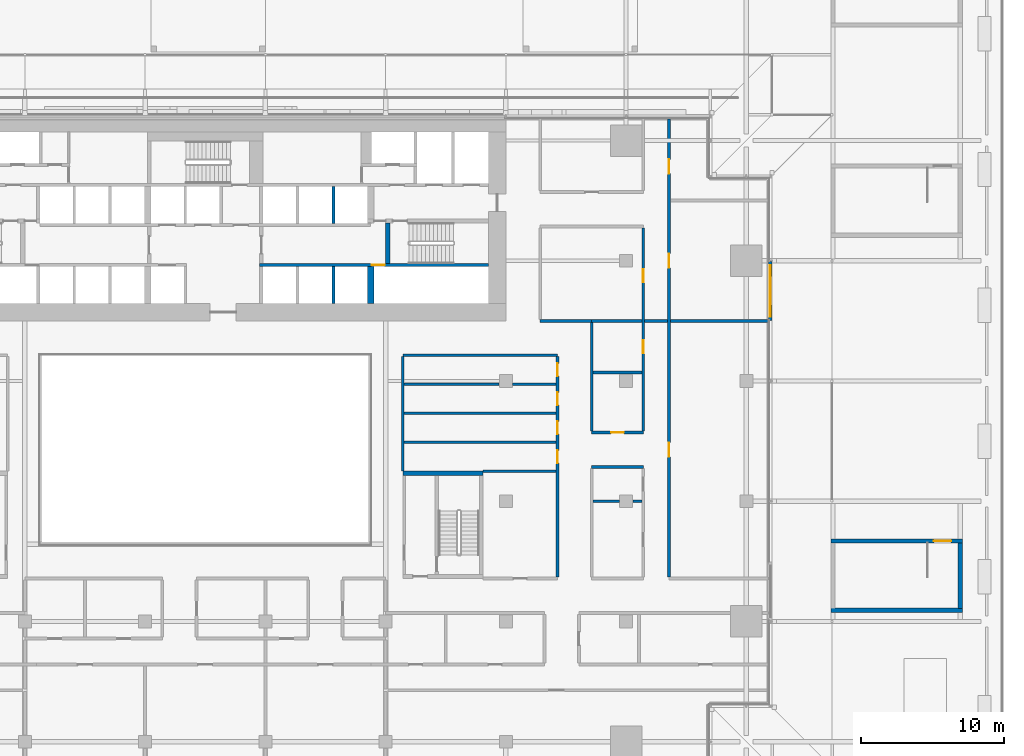
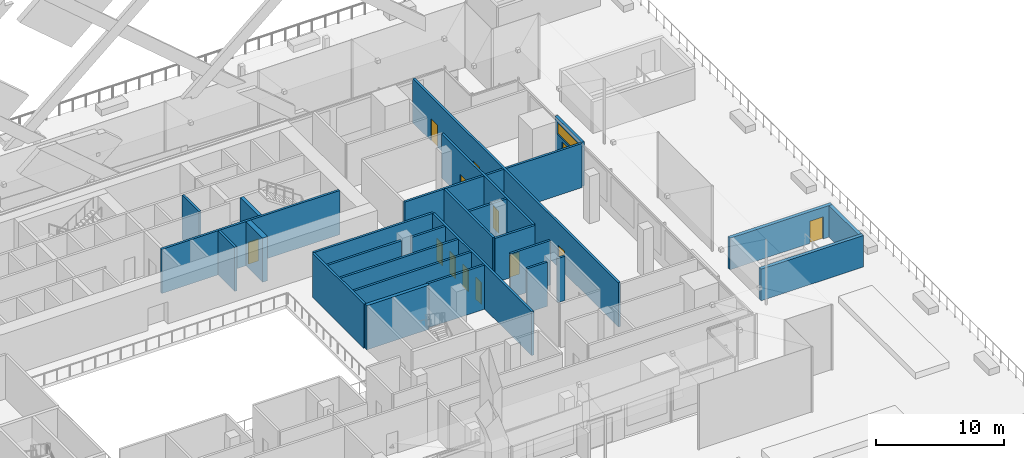
# One storey, part 27 of 60: 30 walls, 13 doors, 1 window, 14 openings.
"""IFC4 building model written with IfcOpenShell, lengths in metres."""

from ifc_helpers import new_model, si_unit, direction, frame, frame_2d, origin, place, context, subcontext, project, spatial, rectangle, extrude, material, layer, layer_set, type_object, element, fill, save


model = new_model("IFC4")

# Units and contexts
model_context = context("Model", 3, precision=1e-05, world=origin(), true_north=direction((0.0, 1.0)))
body_context = subcontext(model_context, "Body", "Model", "MODEL_VIEW")
ifc_project = project(units=[si_unit("LENGTHUNIT", "METRE"), si_unit("AREAUNIT", "SQUARE_METRE"), si_unit("VOLUMEUNIT", "CUBIC_METRE"), si_unit("PLANEANGLEUNIT", "RADIAN"), si_unit("MASSUNIT", "GRAM", prefix="KILO")], contexts=[model_context])

# Site, building, storey
site_placement = place(None, origin())
site = spatial("IfcSite", under=ifc_project, at=site_placement, CompositionType="ELEMENT")
building_placement = place(site_placement, origin())
building = spatial("IfcBuilding", under=site, at=building_placement, Name="Saffron Gate Tower", CompositionType="ELEMENT")
storey_placement = place(building_placement, frame((0.0, 0.0, 19.199951171875)))
storey = spatial("IfcBuildingStorey", under=building, at=storey_placement, Name="L03", CompositionType="ELEMENT", Elevation=19.199951171875)

# Wall
ifc_material_1 = material(Name="Concrete C70", Category="concrete")
ifc_layer_1 = layer(ifc_material_1, 0.199951171875)
ifc_layer_set_1 = layer_set([ifc_layer_1], Name="CW3 RC core wall 200 C70")
wall_type_1 = type_object("IfcWallType", Name="CW3 RC core wall 200 C70", PredefinedType="SOLIDWALL", material=ifc_layer_set_1)
wall_1_placement = place(storey_placement, frame((96.550048828125, 62.39990234375, 0.0), z_axis=(0.0, 0.0, 1.0), x_axis=(0.0, 1.0, 0.0)))
element("IfcWall", 1, at=wall_1_placement, inside=storey, type_object=wall_type_1, Name="Wall CW3-L03-12", PredefinedType="SOLIDWALL", context=body_context, shape_type="SweptSolid", body=[
    extrude(rectangle(XDim=2.60009765625, YDim=0.199951171875, at=frame_2d((1.300048828125, 0.0))), origin(), (0.0, 0.0, 1.0), 4.199951171875),
])

# Wall, opening, door
wall_2_placement = place(storey_placement, frame((91.39990234375, 65.10009765625, 0.0), z_axis=(0.0, 0.0, 1.0), x_axis=(1.0, 0.0, 0.0)))
wall_2 = element("IfcWall", 2, at=wall_2_placement, inside=storey, type_object=wall_type_1, Name="Wall CW3-L03-15", PredefinedType="SOLIDWALL", context=body_context, shape_type="SweptSolid", body=[
    extrude(rectangle(XDim=16.0, YDim=0.199951171875, at=frame_2d((8.0, 0.0))), origin(), (0.0, 0.0, 1.0), 4.199951171875),
])
opening_1_placement = place(wall_2_placement, frame((7.830078125, 0.0, 0.0)))
opening_1 = element("IfcOpeningElement", 3, at=opening_1_placement, cuts=wall_2, Name="Opening CR-48", PredefinedType="OPENING", context=body_context, shape_type="SweptSolid", body=[
    extrude(rectangle(XDim=0.89990234375, YDim=2.10009765625, at=frame_2d((0.449951171875, 1.050048828125))), frame((0.0, 0.10986328125, 0.0), z_axis=(0.0, -1.0, 0.0), x_axis=(1.0, 0.0, 0.0)), (0.0, 0.0, 1.0), 0.219970703125),
])
ifc_material_2 = material(Name="Steel fire door set", Category="steel")
door_type_1 = type_object("IfcDoorType", Name="CD2 Riser door 900x2100 EI 60", OperationType="NOTDEFINED", PredefinedType="DOOR", material=ifc_material_2)
door_1_placement = place(opening_1_placement, origin())
door_1 = element("IfcDoor", 4, at=door_1_placement, inside=storey, type_object=door_type_1, Name="DOOR CR-48", OperationType="SINGLE_SWING_RIGHT", OverallHeight=2.10009765625, OverallWidth=0.89990234375, PredefinedType="DOOR", context=body_context, shape_type="SweptSolid", body=[
    extrude(rectangle(XDim=0.89990234375, YDim=2.10009765625, at=frame_2d((0.449951171875, 1.050048828125))), frame((0.0, 0.02490234375, 0.0), z_axis=(0.0, -1.0, 0.0), x_axis=(1.0, 0.0, 0.0)), (0.0, 0.0, 1.0), 0.050048828125),
])
fill(opening_1, door_1)

# Walls
wall_3_placement = place(storey_placement, frame((96.550048828125, 68.0, 0.0), z_axis=(0.0, 0.0, 1.0), x_axis=(0.0, 1.0, 0.0)))
element("IfcWall", 5, at=wall_3_placement, inside=storey, type_object=wall_type_1, Name="Wall CW3-L03-28", PredefinedType="SOLIDWALL", context=body_context, shape_type="SweptSolid", body=[
    extrude(rectangle(XDim=2.60009765625, YDim=0.199951171875, at=frame_2d((1.300048828125, 0.0))), origin(), (0.0, 0.0, 1.0), 4.199951171875),
])
ifc_layer_2 = layer(ifc_material_1, 0.449951171875)
ifc_layer_set_2 = layer_set([ifc_layer_2], Name="CW4 RC core wall 450 C70")
wall_type_2 = type_object("IfcWallType", Name="CW4 RC core wall 450 C70", PredefinedType="SOLIDWALL", material=ifc_layer_set_2)
wall_4_placement = place(storey_placement, frame((99.175048828125, 62.39990234375, 0.0), z_axis=(0.0, 0.0, 1.0), x_axis=(0.0, 1.0, 0.0)))
element("IfcWall", 6, at=wall_4_placement, inside=storey, type_object=wall_type_2, Name="Wall CW4-L03-13", PredefinedType="SOLIDWALL", context=body_context, shape_type="SweptSolid", body=[
    extrude(rectangle(XDim=2.60009765625, YDim=0.449951171875, at=frame_2d((1.300048828125, 0.0))), origin(), (0.0, 0.0, 1.0), 4.199951171875),
])
ifc_layer_3 = layer(ifc_material_1, 0.300048828125)
ifc_layer_set_3 = layer_set([ifc_layer_3], Name="CW5 RC core wall 300 C70")
wall_type_3 = type_object("IfcWallType", Name="CW5 RC core wall 300 C70", PredefinedType="SOLIDWALL", material=ifc_layer_set_3)
wall_5_placement = place(storey_placement, frame((100.35009765625, 65.199951171875, 0.0), z_axis=(0.0, 0.0, 1.0), x_axis=(0.0, 1.0, 0.0)))
element("IfcWall", 7, at=wall_5_placement, inside=storey, type_object=wall_type_3, Name="Wall CW5-L03-19", PredefinedType="SOLIDWALL", context=body_context, shape_type="SweptSolid", body=[
    extrude(rectangle(XDim=2.85009765625, YDim=0.300048828125, at=frame_2d((1.425048828125, 0.0))), origin(), (0.0, 0.0, 1.0), 4.199951171875),
])
wall_6_placement = place(storey_placement, frame((101.39990234375, 50.550048828125, 0.0), z_axis=(0.0, 0.0, 1.0), x_axis=(1.0, 0.0, 0.0)))
element("IfcWall", 8, at=wall_6_placement, inside=storey, type_object=wall_type_3, Name="Wall CW5-L03-E-5", PredefinedType="SOLIDWALL", context=body_context, shape_type="SweptSolid", body=[
    extrude(rectangle(XDim=5.60009765625, YDim=0.300048828125, at=frame_2d((2.800048828125, 0.0))), origin(), (0.0, 0.0, 1.0), 4.199951171875),
])
wall_7_placement = place(storey_placement, frame((131.300048828125, 40.97509765625, 0.0), z_axis=(0.0, 0.0, 1.0), x_axis=(1.0, 0.0, 0.0)))
element("IfcWall", 9, at=wall_7_placement, inside=storey, type_object=wall_type_3, Name="Wall CW5-L03-K-1", PredefinedType="SOLIDWALL", context=body_context, shape_type="SweptSolid", body=[
    extrude(rectangle(XDim=9.199951171875, YDim=0.300048828125, at=frame_2d((4.60009765625, 0.0))), origin(), (0.0, 0.0, 1.0), 3.0),
])
wall_8_placement = place(storey_placement, frame((140.35009765625, 41.125, 0.0), z_axis=(0.0, 0.0, 1.0), x_axis=(0.0, 1.0, 0.0)))
element("IfcWall", 10, at=wall_8_placement, inside=storey, type_object=wall_type_3, Name="Wall CW5-L03-K-3", PredefinedType="SOLIDWALL", context=body_context, shape_type="SweptSolid", body=[
    extrude(rectangle(XDim=4.550048828125, YDim=0.300048828125, at=frame_2d((2.27490234375, 0.0))), origin(), (0.0, 0.0, 1.0), 3.0),
])

# Wall, opening, door
wall_9_placement = place(storey_placement, frame((131.300048828125, 45.824951171875, 0.0), z_axis=(0.0, 0.0, 1.0), x_axis=(1.0, 0.0, 0.0)))
wall_9 = element("IfcWall", 11, at=wall_9_placement, inside=storey, type_object=wall_type_3, Name="Wall CW5-L03-K-4", PredefinedType="SOLIDWALL", context=body_context, shape_type="SweptSolid", body=[
    extrude(rectangle(XDim=9.199951171875, YDim=0.300048828125, at=frame_2d((4.60009765625, 0.0))), origin(), (0.0, 0.0, 1.0), 3.0),
])
opening_2_placement = place(wall_9_placement, frame((7.199951171875, 0.0, 0.0)))
opening_2 = element("IfcOpeningElement", 12, at=opening_2_placement, cuts=wall_9, Name="Opening CR-40", PredefinedType="OPENING", context=body_context, shape_type="SweptSolid", body=[
    extrude(rectangle(XDim=1.199951171875, YDim=2.10009765625, at=frame_2d((0.60009765625, 1.050048828125))), frame((0.0, 0.16015625, 0.0), z_axis=(0.0, -1.0, 0.0), x_axis=(1.0, 0.0, 0.0)), (0.0, 0.0, 1.0), 0.320068359375),
])
door_type_2 = type_object("IfcDoorType", Name="CD12 Stair door 1200x2100 EI 120", OperationType="NOTDEFINED", PredefinedType="DOOR", material=ifc_material_2)
door_2_placement = place(opening_2_placement, origin())
door_2 = element("IfcDoor", 13, at=door_2_placement, inside=storey, type_object=door_type_2, Name="DOOR CR-40", OperationType="SINGLE_SWING_LEFT", OverallHeight=2.10009765625, OverallWidth=1.199951171875, PredefinedType="DOOR", context=body_context, shape_type="SweptSolid", body=[
    extrude(rectangle(XDim=1.199951171875, YDim=2.10009765625, at=frame_2d((0.60009765625, 1.050048828125))), frame((0.0, 0.02490234375, 0.0), z_axis=(0.0, -1.0, 0.0), x_axis=(1.0, 0.0, 0.0)), (0.0, 0.0, 1.0), 0.050048828125),
])
fill(opening_2, door_2)

# Walls
ifc_material_3 = material(Name="Clay brick masonry, rendered", Category="masonry")
ifc_layer_4 = layer(ifc_material_3, 0.199951171875)
ifc_layer_set_4 = layer_set([ifc_layer_4], Name="PW2 Demising wall 200")
wall_type_4 = type_object("IfcWallType", Name="PW2 Demising wall 200", PredefinedType="PARTITIONING", material=ifc_layer_set_4)
wall_10_placement = place(storey_placement, frame((107.0, 50.699951171875, 0.0), z_axis=(0.0, 0.0, 1.0), x_axis=(1.0, 0.0, 0.0)))
element("IfcWall", 14, at=wall_10_placement, inside=storey, type_object=wall_type_4, Name="Wall S1-30", PredefinedType="PARTITIONING", context=body_context, shape_type="SweptSolid", body=[
    extrude(rectangle(XDim=5.10009765625, YDim=0.199951171875, at=frame_2d((2.550048828125, 0.0))), origin(), (0.0, 0.0, 1.0), 4.199951171875),
])
for number, where, z_axis, x_axis, name in (
    (15, (101.5, 52.72509765625, 0.0), (0.0, 0.0, 1.0), (1.0, 0.0, 0.0), "Wall S1-34"),
    (16, (101.5, 54.75, 0.0), (0.0, 0.0, 1.0), (1.0, 0.0, 0.0), "Wall S1-37"),
):
    element("IfcWall", number, at=place(storey_placement, frame(where, z_axis=z_axis, x_axis=x_axis)), inside=storey, type_object=wall_type_4, Name=name, PredefinedType="PARTITIONING", context=body_context, shape_type="SweptSolid", body=[
        extrude(rectangle(XDim=10.60009765625, YDim=0.199951171875, at=frame_2d((5.300048828125, 0.0))), origin(), (0.0, 0.0, 1.0), 4.199951171875),
    ])
wall_11_placement = place(storey_placement, frame((101.5, 56.77490234375, 0.0), z_axis=(0.0, 0.0, 1.0), x_axis=(1.0, 0.0, 0.0)))
element("IfcWall", 17, at=wall_11_placement, inside=storey, type_object=wall_type_4, Name="Wall S1-38", PredefinedType="PARTITIONING", context=body_context, shape_type="SweptSolid", body=[
    extrude(rectangle(XDim=6.6298828125, YDim=0.199951171875, at=frame_2d((3.31494140625, 0.0))), origin(), (0.0, 0.0, 1.0), 4.199951171875),
])
wall_12_placement = place(storey_placement, frame((109.070068359375, 56.77490234375, 0.0), z_axis=(0.0, 0.0, 1.0), x_axis=(1.0, 0.0, 0.0)))
element("IfcWall", 18, at=wall_12_placement, inside=storey, type_object=wall_type_4, Name="Wall S1-39", PredefinedType="PARTITIONING", context=body_context, shape_type="SweptSolid", body=[
    extrude(rectangle(XDim=3.030029296875, YDim=0.199951171875, at=frame_2d((1.51513671875, 0.0))), origin(), (0.0, 0.0, 1.0), 4.199951171875),
])
ifc_layer_5 = layer(ifc_material_3, 0.199951171875)
ifc_layer_set_5 = layer_set([ifc_layer_5], Name="PW3 Corridor wall 200")
wall_type_5 = type_object("IfcWallType", Name="PW3 Corridor wall 200", PredefinedType="PARTITIONING", material=ifc_layer_set_5)
wall_13_placement = place(storey_placement, frame((114.60009765625, 51.0, 0.0), z_axis=(0.0, 0.0, 1.0), x_axis=(1.0, 0.0, 0.0)))
element("IfcWall", 19, at=wall_13_placement, inside=storey, type_object=wall_type_5, Name="Wall S1-33", PredefinedType="PARTITIONING", context=body_context, shape_type="SweptSolid", body=[
    extrude(rectangle(XDim=3.599853515625, YDim=0.199951171875, at=frame_2d((1.7998046875, 0.0))), origin(), (0.0, 0.0, 1.0), 4.199951171875),
])

# Wall, opening, door
wall_14_placement = place(storey_placement, frame((114.60009765625, 53.39990234375, 0.0), z_axis=(0.0, 0.0, 1.0), x_axis=(1.0, 0.0, 0.0)))
wall_14 = element("IfcWall", 20, at=wall_14_placement, inside=storey, type_object=wall_type_5, Name="Wall S1-36", PredefinedType="PARTITIONING", context=body_context, shape_type="SweptSolid", body=[
    extrude(rectangle(XDim=3.599853515625, YDim=0.199951171875, at=frame_2d((1.7998046875, 0.0))), origin(), (0.0, 0.0, 1.0), 4.199951171875),
])
opening_3_placement = place(wall_14_placement, frame((1.35009765625, 0.0, 0.0)))
opening_3 = element("IfcOpeningElement", 21, at=opening_3_placement, cuts=wall_14, Name="Opening S1-26", PredefinedType="OPENING", context=body_context, shape_type="SweptSolid", body=[
    extrude(rectangle(XDim=0.89990234375, YDim=2.10009765625, at=frame_2d((0.449951171875, 1.050048828125))), frame((0.0, 0.10986328125, 0.0), z_axis=(0.0, -1.0, 0.0), x_axis=(1.0, 0.0, 0.0)), (0.0, 0.0, 1.0), 0.219970703125),
])
ifc_material_4 = material(Name="Timber door set", Category="wood")
door_type_3 = type_object("IfcDoorType", Name="RD1 Room door 900x2100", OperationType="NOTDEFINED", PredefinedType="DOOR", material=ifc_material_4)
door_3_placement = place(opening_3_placement, origin())
door_3 = element("IfcDoor", 22, at=door_3_placement, inside=storey, type_object=door_type_3, Name="Door S1-26", OperationType="SINGLE_SWING_LEFT", OverallHeight=2.10009765625, OverallWidth=0.89990234375, PredefinedType="DOOR", context=body_context, shape_type="SweptSolid", body=[
    extrude(rectangle(XDim=0.89990234375, YDim=2.10009765625, at=frame_2d((0.449951171875, 1.050048828125))), frame((0.0, 0.02490234375, 0.0), z_axis=(0.0, -1.0, 0.0), x_axis=(1.0, 0.0, 0.0)), (0.0, 0.0, 1.0), 0.050048828125),
])
fill(opening_3, door_3)

# Walls
wall_15_placement = place(storey_placement, frame((101.39990234375, 58.800048828125, 0.0), z_axis=(0.0, 0.0, 1.0), x_axis=(1.0, 0.0, 0.0)))
element("IfcWall", 23, at=wall_15_placement, inside=storey, type_object=wall_type_5, Name="Wall S1-42", PredefinedType="PARTITIONING", context=body_context, shape_type="SweptSolid", body=[
    extrude(rectangle(XDim=10.800048828125, YDim=0.199951171875, at=frame_2d((5.39990234375, 0.0))), origin(), (0.0, 0.0, 1.0), 4.199951171875),
])
wall_16_placement = place(storey_placement, frame((111.0, 61.199951171875, 0.0), z_axis=(0.0, 0.0, 1.0), x_axis=(1.0, 0.0, 0.0)))
element("IfcWall", 24, at=wall_16_placement, inside=storey, type_object=wall_type_5, Name="Wall S1-45", PredefinedType="PARTITIONING", context=body_context, shape_type="SweptSolid", body=[
    extrude(rectangle(XDim=3.60009765625, YDim=0.199951171875, at=frame_2d((1.800048828125, 0.0))), origin(), (0.0, 0.0, 1.0), 4.199951171875),
])
wall_17_placement = place(storey_placement, frame((118.300048828125, 61.199951171875, 0.0), z_axis=(0.0, 0.0, 1.0), x_axis=(1.0, 0.0, 0.0)))
element("IfcWall", 25, at=wall_17_placement, inside=storey, type_object=wall_type_5, Name="Wall S1-46", PredefinedType="PARTITIONING", context=body_context, shape_type="SweptSolid", body=[
    extrude(rectangle(XDim=1.599853515625, YDim=0.199951171875, at=frame_2d((0.7998046875, 0.0))), origin(), (0.0, 0.0, 1.0), 4.199951171875),
])
wall_18_placement = place(storey_placement, frame((101.39990234375, 58.699951171875, 0.0), z_axis=(0.0, 0.0, 1.0), x_axis=(0.0, -1.0, 0.0)))
element("IfcWall", 26, at=wall_18_placement, inside=storey, type_object=wall_type_5, Name="Wall S1-91", PredefinedType="PARTITIONING", context=body_context, shape_type="SweptSolid", body=[
    extrude(rectangle(XDim=8.0, YDim=0.199951171875, at=frame_2d((4.0, 0.0))), origin(), (0.0, 0.0, 1.0), 4.199951171875),
])

# Wall, openings, doors
wall_19_placement = place(storey_placement, frame((112.199951171875, 43.300048828125, 0.0), z_axis=(0.0, 0.0, 1.0), x_axis=(0.0, 1.0, 0.0)))
wall_19 = element("IfcWall", 27, at=wall_19_placement, inside=storey, type_object=wall_type_5, Name="Wall S1-96", PredefinedType="PARTITIONING", context=body_context, shape_type="SweptSolid", body=[
    extrude(rectangle(XDim=15.39990234375, YDim=0.199951171875, at=frame_2d((7.699951171875, 0.0))), origin(), (0.0, 0.0, 1.0), 4.199951171875),
])
opening_4_placement = place(wall_19_placement, frame((7.96240234375, 0.0, 0.0)))
opening_4 = element("IfcOpeningElement", 28, at=opening_4_placement, cuts=wall_19, Name="Opening S1-1", PredefinedType="OPENING", context=body_context, shape_type="SweptSolid", body=[
    extrude(rectangle(XDim=0.89990234375, YDim=2.10009765625, at=frame_2d((0.449951171875, 1.050048828125))), frame((0.0, 0.10986328125, 0.0), z_axis=(0.0, -1.0, 0.0), x_axis=(1.0, 0.0, 0.0)), (0.0, 0.0, 1.0), 0.219970703125),
])
opening_5_placement = place(wall_19_placement, frame((9.987548828125, 0.0, 0.0)))
opening_5 = element("IfcOpeningElement", 29, at=opening_5_placement, cuts=wall_19, Name="Opening S1-2", PredefinedType="OPENING", context=body_context, shape_type="SweptSolid", body=[
    extrude(rectangle(XDim=0.89990234375, YDim=2.10009765625, at=frame_2d((0.449951171875, 1.050048828125))), frame((0.0, 0.10986328125, 0.0), z_axis=(0.0, -1.0, 0.0), x_axis=(1.0, 0.0, 0.0)), (0.0, 0.0, 1.0), 0.219970703125),
])
opening_6_placement = place(wall_19_placement, frame((12.012451171875, 0.0, 0.0)))
opening_6 = element("IfcOpeningElement", 30, at=opening_6_placement, cuts=wall_19, Name="Opening S1-3", PredefinedType="OPENING", context=body_context, shape_type="SweptSolid", body=[
    extrude(rectangle(XDim=0.89990234375, YDim=2.10009765625, at=frame_2d((0.449951171875, 1.050048828125))), frame((0.0, 0.10986328125, 0.0), z_axis=(0.0, -1.0, 0.0), x_axis=(1.0, 0.0, 0.0)), (0.0, 0.0, 1.0), 0.219970703125),
])
opening_7_placement = place(wall_19_placement, frame((14.03759765625, 0.0, 0.0)))
opening_7 = element("IfcOpeningElement", 31, at=opening_7_placement, cuts=wall_19, Name="Opening S1-4", PredefinedType="OPENING", context=body_context, shape_type="SweptSolid", body=[
    extrude(rectangle(XDim=0.89990234375, YDim=2.10009765625, at=frame_2d((0.449951171875, 1.050048828125))), frame((0.0, 0.10986328125, 0.0), z_axis=(0.0, -1.0, 0.0), x_axis=(1.0, 0.0, 0.0)), (0.0, 0.0, 1.0), 0.219970703125),
])
door_4_placement = place(opening_4_placement, origin())
door_4 = element("IfcDoor", 32, at=door_4_placement, inside=storey, type_object=door_type_3, Name="Door S1-1", OperationType="SINGLE_SWING_LEFT", OverallHeight=2.10009765625, OverallWidth=0.89990234375, PredefinedType="DOOR", context=body_context, shape_type="SweptSolid", body=[
    extrude(rectangle(XDim=0.89990234375, YDim=2.10009765625, at=frame_2d((0.449951171875, 1.050048828125))), frame((0.0, 0.02490234375, 0.0), z_axis=(0.0, -1.0, 0.0), x_axis=(1.0, 0.0, 0.0)), (0.0, 0.0, 1.0), 0.050048828125),
])
fill(opening_4, door_4)
door_5_placement = place(opening_5_placement, origin())
door_5 = element("IfcDoor", 33, at=door_5_placement, inside=storey, type_object=door_type_3, Name="Door S1-2", OperationType="SINGLE_SWING_LEFT", OverallHeight=2.10009765625, OverallWidth=0.89990234375, PredefinedType="DOOR", context=body_context, shape_type="SweptSolid", body=[
    extrude(rectangle(XDim=0.89990234375, YDim=2.10009765625, at=frame_2d((0.449951171875, 1.050048828125))), frame((0.0, 0.02490234375, 0.0), z_axis=(0.0, -1.0, 0.0), x_axis=(1.0, 0.0, 0.0)), (0.0, 0.0, 1.0), 0.050048828125),
])
fill(opening_5, door_5)
door_6_placement = place(opening_6_placement, origin())
door_6 = element("IfcDoor", 34, at=door_6_placement, inside=storey, type_object=door_type_3, Name="Door S1-3", OperationType="SINGLE_SWING_LEFT", OverallHeight=2.10009765625, OverallWidth=0.89990234375, PredefinedType="DOOR", context=body_context, shape_type="SweptSolid", body=[
    extrude(rectangle(XDim=0.89990234375, YDim=2.10009765625, at=frame_2d((0.449951171875, 1.050048828125))), frame((0.0, 0.02490234375, 0.0), z_axis=(0.0, -1.0, 0.0), x_axis=(1.0, 0.0, 0.0)), (0.0, 0.0, 1.0), 0.050048828125),
])
fill(opening_6, door_6)
door_7_placement = place(opening_7_placement, origin())
door_7 = element("IfcDoor", 35, at=door_7_placement, inside=storey, type_object=door_type_3, Name="Door S1-4", OperationType="SINGLE_SWING_RIGHT", OverallHeight=2.10009765625, OverallWidth=0.89990234375, PredefinedType="DOOR", context=body_context, shape_type="SweptSolid", body=[
    extrude(rectangle(XDim=0.89990234375, YDim=2.10009765625, at=frame_2d((0.449951171875, 1.050048828125))), frame((0.0, 0.02490234375, 0.0), z_axis=(0.0, -1.0, 0.0), x_axis=(1.0, 0.0, 0.0)), (0.0, 0.0, 1.0), 0.050048828125),
])
fill(opening_7, door_7)

# Wall
wall_20_placement = place(storey_placement, frame((114.60009765625, 61.10009765625, 0.0), z_axis=(0.0, 0.0, 1.0), x_axis=(0.0, -1.0, 0.0)))
element("IfcWall", 36, at=wall_20_placement, inside=storey, type_object=wall_type_5, Name="Wall S1-99", PredefinedType="PARTITIONING", context=body_context, shape_type="SweptSolid", body=[
    extrude(rectangle(XDim=7.60009765625, YDim=0.199951171875, at=frame_2d((3.800048828125, 0.0))), origin(), (0.0, 0.0, 1.0), 4.199951171875),
])

# Wall, openings, doors
wall_21_placement = place(storey_placement, frame((118.199951171875, 53.5, 0.0), z_axis=(0.0, 0.0, 1.0), x_axis=(0.0, 1.0, 0.0)))
wall_21 = element("IfcWall", 37, at=wall_21_placement, inside=storey, type_object=wall_type_5, Name="Wall S1-102", PredefinedType="PARTITIONING", context=body_context, shape_type="SweptSolid", body=[
    extrude(rectangle(XDim=14.199951171875, YDim=0.199951171875, at=frame_2d((7.10009765625, 0.0))), origin(), (0.0, 0.0, 1.0), 4.199951171875),
])
opening_8_placement = place(wall_21_placement, frame((5.449951171875, 0.0, 0.0)))
opening_8 = element("IfcOpeningElement", 38, at=opening_8_placement, cuts=wall_21, Name="Opening S1-27", PredefinedType="OPENING", context=body_context, shape_type="SweptSolid", body=[
    extrude(rectangle(XDim=0.89990234375, YDim=2.10009765625, at=frame_2d((0.449951171875, 1.050048828125))), frame((0.0, 0.10986328125, 0.0), z_axis=(0.0, -1.0, 0.0), x_axis=(1.0, 0.0, 0.0)), (0.0, 0.0, 1.0), 0.219970703125),
])
opening_9_placement = place(wall_21_placement, frame((10.39990234375, 0.0, 0.0)))
opening_9 = element("IfcOpeningElement", 39, at=opening_9_placement, cuts=wall_21, Name="Opening S1-28", PredefinedType="OPENING", context=body_context, shape_type="SweptSolid", body=[
    extrude(rectangle(XDim=0.89990234375, YDim=2.10009765625, at=frame_2d((0.449951171875, 1.050048828125))), frame((0.0, 0.10986328125, 0.0), z_axis=(0.0, -1.0, 0.0), x_axis=(1.0, 0.0, 0.0)), (0.0, 0.0, 1.0), 0.219970703125),
])
door_8_placement = place(opening_8_placement, origin())
door_8 = element("IfcDoor", 40, at=door_8_placement, inside=storey, type_object=door_type_3, Name="Door S1-27", OperationType="SINGLE_SWING_LEFT", OverallHeight=2.10009765625, OverallWidth=0.89990234375, PredefinedType="DOOR", context=body_context, shape_type="SweptSolid", body=[
    extrude(rectangle(XDim=0.89990234375, YDim=2.10009765625, at=frame_2d((0.449951171875, 1.050048828125))), frame((0.0, 0.02490234375, 0.0), z_axis=(0.0, -1.0, 0.0), x_axis=(1.0, 0.0, 0.0)), (0.0, 0.0, 1.0), 0.050048828125),
])
fill(opening_8, door_8)
door_9_placement = place(opening_9_placement, origin())
door_9 = element("IfcDoor", 41, at=door_9_placement, inside=storey, type_object=door_type_3, Name="Door S1-28", OperationType="SINGLE_SWING_LEFT", OverallHeight=2.10009765625, OverallWidth=0.89990234375, PredefinedType="DOOR", context=body_context, shape_type="SweptSolid", body=[
    extrude(rectangle(XDim=0.89990234375, YDim=2.10009765625, at=frame_2d((0.449951171875, 1.050048828125))), frame((0.0, 0.02490234375, 0.0), z_axis=(0.0, -1.0, 0.0), x_axis=(1.0, 0.0, 0.0)), (0.0, 0.0, 1.0), 0.050048828125),
])
fill(opening_9, door_9)

wall_22_placement = place(storey_placement, frame((120.0, 75.320068359375, 0.0), z_axis=(0.0, 0.0, 1.0), x_axis=(0.0, -1.0, 0.0)))
wall_22 = element("IfcWall", 42, at=wall_22_placement, inside=storey, type_object=wall_type_5, Name="Wall S1-104", PredefinedType="PARTITIONING", context=body_context, shape_type="SweptSolid", body=[
    extrude(rectangle(XDim=32.02001953125, YDim=0.199951171875, at=frame_2d((16.010009765625, 0.0))), origin(), (0.0, 0.0, 1.0), 4.199951171875),
])
opening_10_placement = place(wall_22_placement, frame((2.841064453125, 0.0, 0.0)))
opening_10 = element("IfcOpeningElement", 43, at=opening_10_placement, cuts=wall_22, Name="Opening S1-42", PredefinedType="OPENING", context=body_context, shape_type="SweptSolid", body=[
    extrude(rectangle(XDim=1.0, YDim=2.10009765625, at=frame_2d((0.5, 1.050048828125))), frame((0.0, 0.10986328125, 0.0), z_axis=(0.0, -1.0, 0.0), x_axis=(1.0, 0.0, 0.0)), (0.0, 0.0, 1.0), 0.219970703125),
])
opening_11_placement = place(wall_22_placement, frame((9.419921875, 0.0, 0.0)))
opening_11 = element("IfcOpeningElement", 44, at=opening_11_placement, cuts=wall_22, Name="Opening S1-41", PredefinedType="OPENING", context=body_context, shape_type="SweptSolid", body=[
    extrude(rectangle(XDim=1.0, YDim=2.10009765625, at=frame_2d((0.5, 1.050048828125))), frame((0.0, 0.10986328125, 0.0), z_axis=(0.0, -1.0, 0.0), x_axis=(1.0, 0.0, 0.0)), (0.0, 0.0, 1.0), 0.219970703125),
])
opening_12_placement = place(wall_22_placement, frame((22.6201171875, 0.0, 0.0)))
opening_12 = element("IfcOpeningElement", 45, at=opening_12_placement, cuts=wall_22, Name="Opening S1-40", PredefinedType="OPENING", context=body_context, shape_type="SweptSolid", body=[
    extrude(rectangle(XDim=1.0, YDim=2.10009765625, at=frame_2d((0.5, 1.050048828125))), frame((0.0, 0.10986328125, 0.0), z_axis=(0.0, -1.0, 0.0), x_axis=(1.0, 0.0, 0.0)), (0.0, 0.0, 1.0), 0.219970703125),
])
door_type_4 = type_object("IfcDoorType", Name="HD1 Hall door 1200x2100", OperationType="NOTDEFINED", PredefinedType="DOOR", material=ifc_material_4)
door_10_placement = place(opening_10_placement, origin())
door_10 = element("IfcDoor", 46, at=door_10_placement, inside=storey, type_object=door_type_4, Name="Door S1-42", OperationType="SINGLE_SWING_RIGHT", OverallHeight=2.10009765625, OverallWidth=1.0, PredefinedType="DOOR", context=body_context, shape_type="SweptSolid", body=[
    extrude(rectangle(XDim=1.0, YDim=2.10009765625, at=frame_2d((0.5, 1.050048828125))), frame((0.0, 0.02490234375, 0.0), z_axis=(0.0, -1.0, 0.0), x_axis=(1.0, 0.0, 0.0)), (0.0, 0.0, 1.0), 0.050048828125),
])
fill(opening_10, door_10)
door_11_placement = place(opening_11_placement, origin())
door_11 = element("IfcDoor", 47, at=door_11_placement, inside=storey, type_object=door_type_4, Name="Door S1-41", OperationType="SINGLE_SWING_LEFT", OverallHeight=2.10009765625, OverallWidth=1.0, PredefinedType="DOOR", context=body_context, shape_type="SweptSolid", body=[
    extrude(rectangle(XDim=1.0, YDim=2.10009765625, at=frame_2d((0.5, 1.050048828125))), frame((0.0, 0.02490234375, 0.0), z_axis=(0.0, -1.0, 0.0), x_axis=(1.0, 0.0, 0.0)), (0.0, 0.0, 1.0), 0.050048828125),
])
fill(opening_11, door_11)
door_12_placement = place(opening_12_placement, origin())
door_12 = element("IfcDoor", 48, at=door_12_placement, inside=storey, type_object=door_type_4, Name="Door S1-40", OperationType="SINGLE_SWING_RIGHT", OverallHeight=2.10009765625, OverallWidth=1.0, PredefinedType="DOOR", context=body_context, shape_type="SweptSolid", body=[
    extrude(rectangle(XDim=1.0, YDim=2.10009765625, at=frame_2d((0.5, 1.050048828125))), frame((0.0, 0.02490234375, 0.0), z_axis=(0.0, -1.0, 0.0), x_axis=(1.0, 0.0, 0.0)), (0.0, 0.0, 1.0), 0.050048828125),
])
fill(opening_12, door_12)

# Walls
ifc_layer_6 = layer(ifc_material_3, 0.199951171875)
ifc_layer_set_6 = layer_set([ifc_layer_6], Name="PW5 Room wall 200")
wall_type_6 = type_object("IfcWallType", Name="PW5 Room wall 200", PredefinedType="PARTITIONING", material=ifc_layer_set_6)
wall_23_placement = place(storey_placement, frame((114.699951171875, 48.60009765625, 0.0), z_axis=(0.0, 0.0, 1.0), x_axis=(1.0, 0.0, 0.0)))
element("IfcWall", 49, at=wall_23_placement, inside=storey, type_object=wall_type_6, Name="Wall S1-28", PredefinedType="PARTITIONING", context=body_context, shape_type="SweptSolid", body=[
    extrude(rectangle(XDim=1.830078125, YDim=0.199951171875, at=frame_2d((0.9150390625, 0.0))), origin(), (0.0, 0.0, 1.0), 4.199951171875),
])
wall_24_placement = place(storey_placement, frame((117.469970703125, 48.60009765625, 0.0), z_axis=(0.0, 0.0, 1.0), x_axis=(1.0, 0.0, 0.0)))
element("IfcWall", 50, at=wall_24_placement, inside=storey, type_object=wall_type_6, Name="Wall S1-29", PredefinedType="PARTITIONING", context=body_context, shape_type="SweptSolid", body=[
    extrude(rectangle(XDim=0.630126953125, YDim=0.199951171875, at=frame_2d((0.31494140625, 0.0))), origin(), (0.0, 0.0, 1.0), 4.199951171875),
])
wall_25_placement = place(storey_placement, frame((114.699951171875, 57.60009765625, 0.0), z_axis=(0.0, 0.0, 1.0), x_axis=(1.0, 0.0, 0.0)))
element("IfcWall", 51, at=wall_25_placement, inside=storey, type_object=wall_type_6, Name="Wall S1-40", PredefinedType="PARTITIONING", context=body_context, shape_type="SweptSolid", body=[
    extrude(rectangle(XDim=3.400146484375, YDim=0.199951171875, at=frame_2d((1.7001953125, 0.0))), origin(), (0.0, 0.0, 1.0), 4.199951171875),
])
wall_26_placement = place(storey_placement, frame((114.60009765625, 61.199951171875, 0.0), z_axis=(0.0, 0.0, 1.0), x_axis=(1.0, 0.0, 0.0)))
element("IfcWall", 52, at=wall_26_placement, inside=storey, type_object=wall_type_6, Name="Wall S1-49", PredefinedType="PARTITIONING", context=body_context, shape_type="SweptSolid", body=[
    extrude(rectangle(XDim=3.5, YDim=0.199951171875, at=frame_2d((1.75, 0.0))), origin(), (0.0, 0.0, 1.0), 4.199951171875),
])
wall_27_placement = place(storey_placement, frame((120.10009765625, 61.199951171875, 0.0), z_axis=(0.0, 0.0, 1.0), x_axis=(1.0, 0.0, 0.0)))
element("IfcWall", 53, at=wall_27_placement, inside=storey, type_object=wall_type_6, Name="Wall S1-50", PredefinedType="PARTITIONING", context=body_context, shape_type="SweptSolid", body=[
    extrude(rectangle(XDim=6.81982421875, YDim=0.199951171875, at=frame_2d((3.409912109375, 0.0))), origin(), (0.0, 0.0, 1.0), 4.199951171875),
])

# Wall, openings, door, window
ifc_material_5 = material(Name="Reinforced concrete C40/50 clad in bronze panels", Category="concrete")
ifc_layer_7 = layer(ifc_material_5, 0.25)
ifc_layer_set_7 = layer_set([ifc_layer_7], Name="WBAY2 deck door bay wall")
wall_type_7 = type_object("IfcWallType", Name="WBAY2 deck door bay wall", PredefinedType="SOLIDWALL", material=ifc_layer_set_7)
wall_28_placement = place(storey_placement, frame((127.074951171875, 65.360107421875, 0.0), z_axis=(0.0, 0.0, 1.0), x_axis=(0.0, -1.0, 0.0)))
wall_28 = element("IfcWall", 54, at=wall_28_placement, inside=storey, type_object=wall_type_7, Name="ENTRANCE BAY wall", PredefinedType="SOLIDWALL", context=body_context, shape_type="SweptSolid", body=[
    extrude(rectangle(XDim=4.1201171875, YDim=0.25, at=frame_2d((2.06005859375, 0.0))), origin(), (0.0, 0.0, 1.0), 4.199951171875),
])
opening_13_placement = place(wall_28_placement, frame((1.06005859375, 0.0, 0.0)))
opening_13 = element("IfcOpeningElement", 55, at=opening_13_placement, cuts=wall_28, Name="Opening D05", PredefinedType="OPENING", context=body_context, shape_type="SweptSolid", body=[
    extrude(rectangle(XDim=2.0, YDim=2.39990234375, at=frame_2d((1.0, 1.199951171875))), frame((0.0, 0.135009765625, 0.0), z_axis=(0.0, -1.0, 0.0), x_axis=(1.0, 0.0, 0.0)), (0.0, 0.0, 1.0), 0.27001953125),
])
opening_14_placement = place(wall_28_placement, frame((0.260009765625, 0.0, 2.699951171875)))
opening_14 = element("IfcOpeningElement", 56, at=opening_14_placement, cuts=wall_28, Name="Opening W10", PredefinedType="OPENING", context=body_context, shape_type="SweptSolid", body=[
    extrude(rectangle(XDim=3.60009765625, YDim=1.10009765625, at=frame_2d((1.800048828125, 0.550048828125))), frame((0.0, 0.135009765625, 0.0), z_axis=(0.0, -1.0, 0.0), x_axis=(1.0, 0.0, 0.0)), (0.0, 0.0, 1.0), 0.27001953125),
])
ifc_material_6 = material(Name="Bronze-framed toughened glass", Category="glass")
ifc_layer_8 = layer(ifc_material_6, 0.050048828125)
ifc_layer_set_8 = layer_set([ifc_layer_8], Name="D1 external double door 2000x2400")
door_type_5 = type_object("IfcDoorType", Name="D1 external double door 2000x2400", OperationType="DOUBLE_DOOR_SINGLE_SWING", PredefinedType="DOOR", material=ifc_layer_set_8)
door_13_placement = place(opening_13_placement, origin())
door_13 = element("IfcDoor", 57, at=door_13_placement, inside=storey, type_object=door_type_5, Name="DOOR D05", OperationType="DOUBLE_DOOR_SINGLE_SWING", OverallHeight=2.39990234375, OverallWidth=2.0, PredefinedType="DOOR", context=body_context, shape_type="SweptSolid", body=[
    extrude(rectangle(XDim=2.0, YDim=2.39990234375, at=frame_2d((1.0, 1.199951171875))), frame((0.0, 0.02490234375, 0.0), z_axis=(0.0, -1.0, 0.0), x_axis=(1.0, 0.0, 0.0)), (0.0, 0.0, 1.0), 0.050048828125),
])
fill(opening_13, door_13)
ifc_material_7 = material(Name="Clear low-iron laminated glass in bronze frame", Category="glass")
ifc_layer_9 = layer(ifc_material_7, 0.06005859375)
ifc_layer_set_9 = layer_set([ifc_layer_9], Name="W10 school entrance light")
window_type = type_object("IfcWindowType", Name="W10 school entrance light", PartitioningType="SINGLE_PANEL", PredefinedType="WINDOW", material=ifc_layer_set_9)
window_placement = place(opening_14_placement, origin())
window = element("IfcWindow", 58, at=window_placement, inside=storey, type_object=window_type, Name="W10 entrance light", OverallHeight=1.10009765625, OverallWidth=3.60009765625, PartitioningType="SINGLE_PANEL", PredefinedType="WINDOW", context=body_context, shape_type="SweptSolid", body=[
    extrude(rectangle(XDim=3.60009765625, YDim=1.10009765625, at=frame_2d((1.800048828125, 0.550048828125))), frame((0.0, 0.030029296875, 0.0), z_axis=(0.0, -1.0, 0.0), x_axis=(1.0, 0.0, 0.0)), (0.0, 0.0, 1.0), 0.06005859375),
])
fill(opening_14, window)

save(model, "model.ifc")
